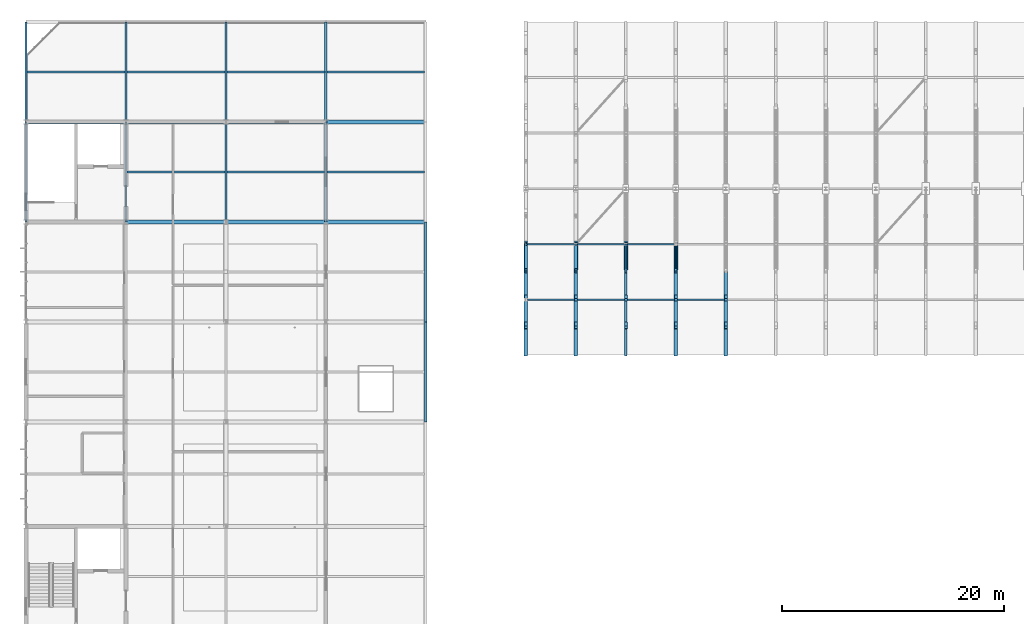
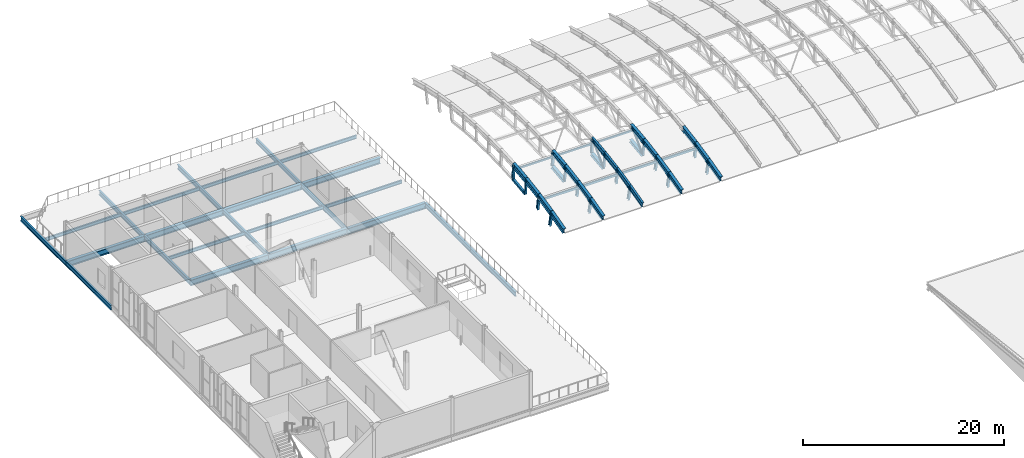
# One storey, part 7 of 53: 43 beams, 30 members.
"""IFC4 building model written with IfcOpenShell, lengths in metres."""

from ifc_helpers import new_model, si_unit, direction, frame, origin, origin_2d, place, context, subcontext, project, spatial, hollow_rectangle, hollow_circle, i_section, extrude, material, material_profile, profile_set, type_object, element, save


model = new_model("IFC4")

# Units and contexts
model_context = context("Model", 3, precision=1e-05, world=origin(), true_north=direction((0.0, 1.0)))
body_context = subcontext(model_context, "Body", "Model", "MODEL_VIEW")
ifc_project = project(units=[si_unit("LENGTHUNIT", "METRE"), si_unit("AREAUNIT", "SQUARE_METRE"), si_unit("VOLUMEUNIT", "CUBIC_METRE"), si_unit("PLANEANGLEUNIT", "RADIAN"), si_unit("MASSUNIT", "GRAM", prefix="KILO")], contexts=[model_context])

# Site, building, storey
site_placement = place(None, origin())
site = spatial("IfcSite", under=ifc_project, at=site_placement, CompositionType="ELEMENT")
building_placement = place(site_placement, origin())
building = spatial("IfcBuilding", under=site, at=building_placement, Name="Cazmaro Siding Exhibition Halls", CompositionType="ELEMENT")
storey_placement = place(building_placement, frame((0.0, 0.0, 21.0)))
storey = spatial("IfcBuildingStorey", under=building, at=storey_placement, Name="L04", CompositionType="ELEMENT", Elevation=21.0)

# Beams
ifc_material_1 = material(Name="Steel ASTM A992 Grade 50", Category="steel")
ifc_material_profile_1 = material_profile(ifc_material_1, i_section(OverallWidth=0.327880859375, OverallDepth=0.626953125, WebThickness=0.01708984375, FlangeThickness=0.028076171875, at=origin_2d()), Name="W24X146")
ifc_profile_set_1 = profile_set([ifc_material_profile_1], Name="Steel ASTM A992 Grade 50")
beam_type_1 = type_object("IfcBeamType", Name="AR-01", PredefinedType="USERDEFINED", material=ifc_profile_set_1)
beam_1_placement = place(storey_placement, frame((45.0, 79.0, 0.35498046875), z_axis=(0.0, 0.966391398669, 0.257075211911), x_axis=(-1.0, 0.0, 0.0)))
element("IfcBeam", 1, at=beam_1_placement, inside=storey, type_object=beam_type_1, Name="Space frame barrel vault arched rib AR-01 BM-0541", ObjectType="ARCHED RIB", PredefinedType="USERDEFINED", context=body_context, shape_type="SweptSolid", body=[
    extrude(i_section(OverallWidth=0.327880859375, OverallDepth=0.626953125, WebThickness=0.01708984375, FlangeThickness=0.028076171875, at=origin_2d()), origin(), (0.0, 0.0, 1.0), 2.5869140625),
])
beam_2_placement = place(storey_placement, frame((45.0, 81.5, 1.02001953125), z_axis=(0.0, 0.977710100146, 0.209959424826), x_axis=(-1.0, 0.0, 0.0)))
element("IfcBeam", 2, at=beam_2_placement, inside=storey, type_object=beam_type_1, Name="Space frame barrel vault arched rib AR-01 BM-0542", ObjectType="ARCHED RIB", PredefinedType="USERDEFINED", context=body_context, shape_type="SweptSolid", body=[
    extrude(i_section(OverallWidth=0.327880859375, OverallDepth=0.626953125, WebThickness=0.01708984375, FlangeThickness=0.028076171875, at=origin_2d()), origin(), (0.0, 0.0, 1.0), 2.556884765625),
])
beam_3_placement = place(storey_placement, frame((45.0, 84.0, 1.556884765625), z_axis=(0.0, 0.98649787474, 0.163774061236), x_axis=(-1.0, 0.0, 0.0)))
element("IfcBeam", 3, at=beam_3_placement, inside=storey, type_object=beam_type_1, Name="Space frame barrel vault arched rib AR-01 BM-0543", ObjectType="ARCHED RIB", PredefinedType="USERDEFINED", context=body_context, shape_type="SweptSolid", body=[
    extrude(i_section(OverallWidth=0.327880859375, OverallDepth=0.626953125, WebThickness=0.01708984375, FlangeThickness=0.028076171875, at=origin_2d()), origin(), (0.0, 0.0, 1.0), 2.5341796875),
])
beam_4_placement = place(storey_placement, frame((45.0, 86.5, 1.971923828125), z_axis=(0.0, 0.993147293786, 0.116869383693), x_axis=(-1.0, 0.0, 0.0)))
element("IfcBeam", 4, at=beam_4_placement, inside=storey, type_object=beam_type_1, Name="Space frame barrel vault arched rib AR-01 BM-0544", ObjectType="ARCHED RIB", PredefinedType="USERDEFINED", context=body_context, shape_type="SweptSolid", body=[
    extrude(i_section(OverallWidth=0.327880859375, OverallDepth=0.626953125, WebThickness=0.01708984375, FlangeThickness=0.028076171875, at=origin_2d()), origin(), (0.0, 0.0, 1.0), 2.517333984375),
])
beam_5_placement = place(storey_placement, frame((58.5, 79.0, 0.35498046875), z_axis=(0.0, 0.966391398669, 0.257075211911), x_axis=(-1.0, 0.0, 0.0)))
element("IfcBeam", 5, at=beam_5_placement, inside=storey, type_object=beam_type_1, Name="Space frame barrel vault arched rib AR-01 BM-0613", ObjectType="ARCHED RIB", PredefinedType="USERDEFINED", context=body_context, shape_type="SweptSolid", body=[
    extrude(i_section(OverallWidth=0.327880859375, OverallDepth=0.626953125, WebThickness=0.01708984375, FlangeThickness=0.028076171875, at=origin_2d()), origin(), (0.0, 0.0, 1.0), 2.5869140625),
])
beam_6_placement = place(storey_placement, frame((58.5, 81.5, 1.02001953125), z_axis=(0.0, 0.977710100146, 0.209959424826), x_axis=(-1.0, 0.0, 0.0)))
element("IfcBeam", 6, at=beam_6_placement, inside=storey, type_object=beam_type_1, Name="Space frame barrel vault arched rib AR-01 BM-0614", ObjectType="ARCHED RIB", PredefinedType="USERDEFINED", context=body_context, shape_type="SweptSolid", body=[
    extrude(i_section(OverallWidth=0.327880859375, OverallDepth=0.626953125, WebThickness=0.01708984375, FlangeThickness=0.028076171875, at=origin_2d()), origin(), (0.0, 0.0, 1.0), 2.556884765625),
])
beam_7_placement = place(storey_placement, frame((58.5, 84.0, 1.556884765625), z_axis=(0.0, 0.98649787474, 0.163774061236), x_axis=(-1.0, 0.0, 0.0)))
element("IfcBeam", 7, at=beam_7_placement, inside=storey, type_object=beam_type_1, Name="Space frame barrel vault arched rib AR-01 BM-0615", ObjectType="ARCHED RIB", PredefinedType="USERDEFINED", context=body_context, shape_type="SweptSolid", body=[
    extrude(i_section(OverallWidth=0.327880859375, OverallDepth=0.626953125, WebThickness=0.01708984375, FlangeThickness=0.028076171875, at=origin_2d()), origin(), (0.0, 0.0, 1.0), 2.5341796875),
])
beam_8_placement = place(storey_placement, frame((58.5, 86.5, 1.971923828125), z_axis=(0.0, 0.993147293786, 0.116869383693), x_axis=(-1.0, 0.0, 0.0)))
element("IfcBeam", 8, at=beam_8_placement, inside=storey, type_object=beam_type_1, Name="Space frame barrel vault arched rib AR-01 BM-0616", ObjectType="ARCHED RIB", PredefinedType="USERDEFINED", context=body_context, shape_type="SweptSolid", body=[
    extrude(i_section(OverallWidth=0.327880859375, OverallDepth=0.626953125, WebThickness=0.01708984375, FlangeThickness=0.028076171875, at=origin_2d()), origin(), (0.0, 0.0, 1.0), 2.517333984375),
])
ifc_material_2 = material(Name="Steel ASTM A992 Grade 50", Category="steel")
ifc_material_profile_2 = material_profile(ifc_material_2, i_section(OverallWidth=0.324951171875, OverallDepth=0.612060546875, WebThickness=0.012939453125, FlangeThickness=0.01904296875, at=origin_2d()), Name="W24X104")
ifc_profile_set_2 = profile_set([ifc_material_profile_2], Name="Steel ASTM A992 Grade 50")
beam_type_2 = type_object("IfcBeamType", Name="AR-02", PredefinedType="USERDEFINED", material=ifc_profile_set_2)
beam_9_placement = place(storey_placement, frame((49.5, 79.0, 0.35498046875), z_axis=(0.0, 0.966391398669, 0.257075211911), x_axis=(-1.0, 0.0, 0.0)))
element("IfcBeam", 9, at=beam_9_placement, inside=storey, type_object=beam_type_2, Name="Space frame barrel vault arched rib AR-02 BM-0565", ObjectType="ARCHED RIB", PredefinedType="USERDEFINED", context=body_context, shape_type="SweptSolid", body=[
    extrude(i_section(OverallWidth=0.324951171875, OverallDepth=0.612060546875, WebThickness=0.012939453125, FlangeThickness=0.01904296875, at=origin_2d()), origin(), (0.0, 0.0, 1.0), 2.5869140625),
])
beam_10_placement = place(storey_placement, frame((49.5, 81.5, 1.02001953125), z_axis=(0.0, 0.977710100146, 0.209959424826), x_axis=(-1.0, 0.0, 0.0)))
element("IfcBeam", 10, at=beam_10_placement, inside=storey, type_object=beam_type_2, Name="Space frame barrel vault arched rib AR-02 BM-0566", ObjectType="ARCHED RIB", PredefinedType="USERDEFINED", context=body_context, shape_type="SweptSolid", body=[
    extrude(i_section(OverallWidth=0.324951171875, OverallDepth=0.612060546875, WebThickness=0.012939453125, FlangeThickness=0.01904296875, at=origin_2d()), origin(), (0.0, 0.0, 1.0), 2.556884765625),
])
beam_11_placement = place(storey_placement, frame((49.5, 84.0, 1.556884765625), z_axis=(0.0, 0.98649787474, 0.163774061236), x_axis=(-1.0, 0.0, 0.0)))
element("IfcBeam", 11, at=beam_11_placement, inside=storey, type_object=beam_type_2, Name="Space frame barrel vault arched rib AR-02 BM-0567", ObjectType="ARCHED RIB", PredefinedType="USERDEFINED", context=body_context, shape_type="SweptSolid", body=[
    extrude(i_section(OverallWidth=0.324951171875, OverallDepth=0.612060546875, WebThickness=0.012939453125, FlangeThickness=0.01904296875, at=origin_2d()), origin(), (0.0, 0.0, 1.0), 2.5341796875),
])
beam_12_placement = place(storey_placement, frame((49.5, 86.5, 1.971923828125), z_axis=(0.0, 0.993147293786, 0.116869383693), x_axis=(-1.0, 0.0, 0.0)))
element("IfcBeam", 12, at=beam_12_placement, inside=storey, type_object=beam_type_2, Name="Space frame barrel vault arched rib AR-02 BM-0568", ObjectType="ARCHED RIB", PredefinedType="USERDEFINED", context=body_context, shape_type="SweptSolid", body=[
    extrude(i_section(OverallWidth=0.324951171875, OverallDepth=0.612060546875, WebThickness=0.012939453125, FlangeThickness=0.01904296875, at=origin_2d()), origin(), (0.0, 0.0, 1.0), 2.517333984375),
])
beam_13_placement = place(storey_placement, frame((63.0, 79.0, 0.35498046875), z_axis=(0.0, 0.966391398669, 0.257075211911), x_axis=(-1.0, 0.0, 0.0)))
element("IfcBeam", 13, at=beam_13_placement, inside=storey, type_object=beam_type_2, Name="Space frame barrel vault arched rib AR-02 BM-0637", ObjectType="ARCHED RIB", PredefinedType="USERDEFINED", context=body_context, shape_type="SweptSolid", body=[
    extrude(i_section(OverallWidth=0.324951171875, OverallDepth=0.612060546875, WebThickness=0.012939453125, FlangeThickness=0.01904296875, at=origin_2d()), origin(), (0.0, 0.0, 1.0), 2.5869140625),
])
beam_14_placement = place(storey_placement, frame((63.0, 81.5, 1.02001953125), z_axis=(0.0, 0.977710100146, 0.209959424826), x_axis=(-1.0, 0.0, 0.0)))
element("IfcBeam", 14, at=beam_14_placement, inside=storey, type_object=beam_type_2, Name="Space frame barrel vault arched rib AR-02 BM-0638", ObjectType="ARCHED RIB", PredefinedType="USERDEFINED", context=body_context, shape_type="SweptSolid", body=[
    extrude(i_section(OverallWidth=0.324951171875, OverallDepth=0.612060546875, WebThickness=0.012939453125, FlangeThickness=0.01904296875, at=origin_2d()), origin(), (0.0, 0.0, 1.0), 2.556884765625),
])
beam_15_placement = place(storey_placement, frame((63.0, 84.0, 1.556884765625), z_axis=(0.0, 0.98649787474, 0.163774061236), x_axis=(-1.0, 0.0, 0.0)))
element("IfcBeam", 15, at=beam_15_placement, inside=storey, type_object=beam_type_2, Name="Space frame barrel vault arched rib AR-02 BM-0639", ObjectType="ARCHED RIB", PredefinedType="USERDEFINED", context=body_context, shape_type="SweptSolid", body=[
    extrude(i_section(OverallWidth=0.324951171875, OverallDepth=0.612060546875, WebThickness=0.012939453125, FlangeThickness=0.01904296875, at=origin_2d()), origin(), (0.0, 0.0, 1.0), 2.5341796875),
])
ifc_material_3 = material(Name="Steel ASTM A992 Grade 50", Category="steel")
ifc_material_profile_3 = material_profile(ifc_material_3, i_section(OverallWidth=0.22900390625, OverallDepth=0.612060546875, WebThickness=0.011962890625, FlangeThickness=0.02001953125, at=origin_2d()), Name="W24X84")
ifc_profile_set_3 = profile_set([ifc_material_profile_3], Name="Steel ASTM A992 Grade 50")
beam_type_3 = type_object("IfcBeamType", Name="AR-03", PredefinedType="USERDEFINED", material=ifc_profile_set_3)
beam_16_placement = place(storey_placement, frame((54.0, 79.0, 0.35498046875), z_axis=(0.0, 0.966391398669, 0.257075211911), x_axis=(-1.0, 0.0, 0.0)))
element("IfcBeam", 16, at=beam_16_placement, inside=storey, type_object=beam_type_3, Name="Space frame barrel vault arched rib AR-03 BM-0589", ObjectType="ARCHED RIB", PredefinedType="USERDEFINED", context=body_context, shape_type="SweptSolid", body=[
    extrude(i_section(OverallWidth=0.22900390625, OverallDepth=0.612060546875, WebThickness=0.011962890625, FlangeThickness=0.02001953125, at=origin_2d()), origin(), (0.0, 0.0, 1.0), 2.5869140625),
])
beam_17_placement = place(storey_placement, frame((54.0, 81.5, 1.02001953125), z_axis=(0.0, 0.977710100146, 0.209959424826), x_axis=(-1.0, 0.0, 0.0)))
element("IfcBeam", 17, at=beam_17_placement, inside=storey, type_object=beam_type_3, Name="Space frame barrel vault arched rib AR-03 BM-0590", ObjectType="ARCHED RIB", PredefinedType="USERDEFINED", context=body_context, shape_type="SweptSolid", body=[
    extrude(i_section(OverallWidth=0.22900390625, OverallDepth=0.612060546875, WebThickness=0.011962890625, FlangeThickness=0.02001953125, at=origin_2d()), origin(), (0.0, 0.0, 1.0), 2.556884765625),
])
beam_18_placement = place(storey_placement, frame((54.0, 84.0, 1.556884765625), z_axis=(0.0, 0.98649787474, 0.163774061236), x_axis=(-1.0, 0.0, 0.0)))
element("IfcBeam", 18, at=beam_18_placement, inside=storey, type_object=beam_type_3, Name="Space frame barrel vault arched rib AR-03 BM-0591", ObjectType="ARCHED RIB", PredefinedType="USERDEFINED", context=body_context, shape_type="SweptSolid", body=[
    extrude(i_section(OverallWidth=0.22900390625, OverallDepth=0.612060546875, WebThickness=0.011962890625, FlangeThickness=0.02001953125, at=origin_2d()), origin(), (0.0, 0.0, 1.0), 2.5341796875),
])
beam_19_placement = place(storey_placement, frame((54.0, 86.5, 1.971923828125), z_axis=(0.0, 0.993147293786, 0.116869383693), x_axis=(-1.0, 0.0, 0.0)))
element("IfcBeam", 19, at=beam_19_placement, inside=storey, type_object=beam_type_3, Name="Space frame barrel vault arched rib AR-03 BM-0592", ObjectType="ARCHED RIB", PredefinedType="USERDEFINED", context=body_context, shape_type="SweptSolid", body=[
    extrude(i_section(OverallWidth=0.22900390625, OverallDepth=0.612060546875, WebThickness=0.011962890625, FlangeThickness=0.02001953125, at=origin_2d()), origin(), (0.0, 0.0, 1.0), 2.517333984375),
])
ifc_material_4 = material(Name="Steel ASTM A992 Grade 50", Category="steel")
ifc_material_profile_4 = material_profile(ifc_material_4, i_section(OverallWidth=0.214111328125, OverallDepth=0.549072265625, WebThickness=0.014892578125, FlangeThickness=0.02392578125, at=origin_2d()), Name="W21X93")
ifc_profile_set_4 = profile_set([ifc_material_profile_4], Name="Steel ASTM A992 Grade 50")
beam_type_4 = type_object("IfcBeamType", Name="B-01", PredefinedType="BEAM", material=ifc_profile_set_4)
for number, where, z_axis, x_axis, name in (
    (20, (0.0, 91.0, -0.493896484375), (0.0, 1.0, 0.0), (-1.0, 0.0, 0.0), "Beam B-01 BM-2332"),
    (21, (0.0, 100.0, -0.5439453125), (0.0, 1.0, 0.0), (-1.0, 0.0, 0.0), "Beam B-01 BM-2333"),
    (22, (9.0, 91.0, -0.493896484375), (0.0, 1.0, 0.0), (-1.0, 0.0, 0.0), "Beam B-01 BM-2338"),
    (23, (9.0, 100.0, -0.5439453125), (0.0, 1.0, 0.0), (-1.0, 0.0, 0.0), "Beam B-01 BM-2339"),
    (24, (18.0, 91.0, -0.493896484375), (0.0, 1.0, 0.0), (-1.0, 0.0, 0.0), "Beam B-01 BM-2344"),
    (25, (18.0, 100.0, -0.5439453125), (0.0, 1.0, 0.0), (-1.0, 0.0, 0.0), "Beam B-01 BM-2345"),
    (26, (27.0, 91.0, -0.5439453125), (0.0, 1.0, 0.0), (-1.0, 0.0, 0.0), "Beam B-01 BM-2350"),
    (27, (27.0, 100.0, -0.5439453125), (0.0, 1.0, 0.0), (-1.0, 0.0, 0.0), "Beam B-01 BM-2351"),
    (28, (36.0, 73.0, -0.5439453125), (0.0, 1.0, 0.0), (-1.0, 0.0, 0.0), "Beam B-01 BM-2354"),
    (29, (36.0, 82.0, -0.5439453125), (0.0, 1.0, 0.0), (-1.0, 0.0, 0.0), "Beam B-01 BM-2355"),
):
    element("IfcBeam", number, at=place(storey_placement, frame(where, z_axis=z_axis, x_axis=x_axis)), inside=storey, type_object=beam_type_4, Name=name, PredefinedType="BEAM", context=body_context, shape_type="SweptSolid", body=[
        extrude(i_section(OverallWidth=0.214111328125, OverallDepth=0.549072265625, WebThickness=0.014892578125, FlangeThickness=0.02392578125, at=origin_2d()), origin(), (0.0, 0.0, 1.0), 9.0),
    ])
ifc_material_5 = material(Name="Steel ASTM A992 Grade 50", Category="steel")
ifc_material_profile_5 = material_profile(ifc_material_5, i_section(OverallWidth=0.35595703125, OverallDepth=0.696044921875, WebThickness=0.014892578125, FlangeThickness=0.02490234375, at=origin_2d()), Name="W27X146")
ifc_profile_set_5 = profile_set([ifc_material_profile_5], Name="Steel ASTM A992 Grade 50")
beam_type_5 = type_object("IfcBeamType", Name="G-05", PredefinedType="USERDEFINED", material=ifc_profile_set_5)
for number, where, z_axis, x_axis, name in (
    (30, (0.0, 100.0, -0.617919921875), (1.0, 0.0, 0.0), (0.0, 1.0, 0.0), "Beam G-05 BM-2283"),
    (31, (9.0, 91.0, -0.568115234375), (1.0, 0.0, 0.0), (0.0, 1.0, 0.0), "Beam G-05 BM-2293"),
    (32, (9.0, 100.0, -0.617919921875), (1.0, 0.0, 0.0), (0.0, 1.0, 0.0), "Beam G-05 BM-2294"),
    (33, (18.0, 91.0, -0.568115234375), (1.0, 0.0, 0.0), (0.0, 1.0, 0.0), "Beam G-05 BM-2306"),
    (34, (18.0, 100.0, -0.617919921875), (1.0, 0.0, 0.0), (0.0, 1.0, 0.0), "Beam G-05 BM-2307"),
    (35, (27.0, 91.0, -0.617919921875), (1.0, 0.0, 0.0), (0.0, 1.0, 0.0), "Beam G-05 BM-2319"),
    (36, (27.0, 100.0, -0.617919921875), (1.0, 0.0, 0.0), (0.0, 1.0, 0.0), "Beam G-05 BM-2320"),
):
    element("IfcBeam", number, at=place(storey_placement, frame(where, z_axis=z_axis, x_axis=x_axis)), inside=storey, type_object=beam_type_5, Name=name, ObjectType="GIRDER", PredefinedType="USERDEFINED", context=body_context, shape_type="SweptSolid", body=[
        extrude(i_section(OverallWidth=0.35595703125, OverallDepth=0.696044921875, WebThickness=0.014892578125, FlangeThickness=0.02490234375, at=origin_2d()), origin(), (0.0, 0.0, 1.0), 9.0),
    ])
ifc_material_6 = material(Name="Steel ASTM A992 Grade 50", Category="steel")
ifc_material_profile_6 = material_profile(ifc_material_6, i_section(OverallWidth=0.177978515625, OverallDepth=0.406005859375, WebThickness=0.008056640625, FlangeThickness=0.012939453125, at=origin_2d()), Name="W16X40")
ifc_profile_set_6 = profile_set([ifc_material_profile_6], Name="Steel ASTM A992 Grade 50")
beam_type_6 = type_object("IfcBeamType", Name="J-02", PredefinedType="JOIST", material=ifc_profile_set_6)
for number, where, z_axis, x_axis, name in (
    (37, (0.10693359375, 104.5, -0.472900390625), (1.0, 0.0, 0.0), (0.0, 1.0, 0.0), "Beam J-02 BM-2288"),
    (38, (9.10693359375, 95.5, -0.423095703125), (1.0, 0.0, 0.0), (0.0, 1.0, 0.0), "Beam J-02 BM-2300"),
    (39, (9.10693359375, 104.5, -0.472900390625), (1.0, 0.0, 0.0), (0.0, 1.0, 0.0), "Beam J-02 BM-2301"),
    (40, (18.10693359375, 95.5, -0.423095703125), (1.0, 0.0, 0.0), (0.0, 1.0, 0.0), "Beam J-02 BM-2313"),
    (41, (18.10693359375, 104.5, -0.472900390625), (1.0, 0.0, 0.0), (0.0, 1.0, 0.0), "Beam J-02 BM-2314"),
    (42, (27.10693359375, 95.5, -0.472900390625), (1.0, 0.0, 0.0), (0.0, 1.0, 0.0), "Beam J-02 BM-2326"),
    (43, (27.10693359375, 104.5, -0.472900390625), (1.0, 0.0, 0.0), (0.0, 1.0, 0.0), "Beam J-02 BM-2327"),
):
    element("IfcBeam", number, at=place(storey_placement, frame(where, z_axis=z_axis, x_axis=x_axis)), inside=storey, type_object=beam_type_6, Name=name, PredefinedType="JOIST", context=body_context, shape_type="SweptSolid", body=[
        extrude(i_section(OverallWidth=0.177978515625, OverallDepth=0.406005859375, WebThickness=0.008056640625, FlangeThickness=0.012939453125, at=origin_2d()), origin(), (0.0, 0.0, 1.0), 8.7861328125),
    ])

# Members
ifc_material_7 = material(Name="Steel ASTM A500 Grade C", Category="steel")
ifc_material_profile_7 = material_profile(ifc_material_7, hollow_rectangle(XDim=0.152099609375, YDim=0.202880859375, WallThickness=0.011962890625, at=origin_2d()), Name="HSS8X6X1/2")
ifc_profile_set_7 = profile_set([ifc_material_profile_7], Name="Steel ASTM A500 Grade C")
member_type_1 = type_object("IfcMemberType", Name="RP-01", PredefinedType="PURLIN", material=ifc_profile_set_7)
for number, where, z_axis, x_axis, name in (
    (44, (45.0, 89.0, 1.72607421875), (1.0, 0.0, 0.0), (0.0, 1.0, 0.0), "Space frame barrel vault purlin RP-01 MEM-1968"),
    (45, (49.5, 89.0, 1.72607421875), (1.0, 0.0, 0.0), (0.0, 1.0, 0.0), "Space frame barrel vault purlin RP-01 MEM-1979"),
    (46, (54.0, 89.0, 1.72607421875), (1.0, 0.0, 0.0), (0.0, 1.0, 0.0), "Space frame barrel vault purlin RP-01 MEM-1996"),
):
    element("IfcMember", number, at=place(storey_placement, frame(where, z_axis=z_axis, x_axis=x_axis)), inside=storey, type_object=member_type_1, Name=name, PredefinedType="PURLIN", context=body_context, shape_type="SweptSolid", body=[
        extrude(hollow_rectangle(XDim=0.152099609375, YDim=0.202880859375, WallThickness=0.011962890625, at=origin_2d()), origin(), (0.0, 0.0, 1.0), 4.5),
    ])
ifc_material_8 = material(Name="Steel ASTM A500 Grade C", Category="steel")
ifc_material_profile_8 = material_profile(ifc_material_8, hollow_rectangle(XDim=0.152099609375, YDim=0.25390625, WallThickness=0.011962890625, at=origin_2d()), Name="HSS10X6X1/2")
ifc_profile_set_8 = profile_set([ifc_material_profile_8], Name="Steel ASTM A500 Grade C")
member_type_2 = type_object("IfcMemberType", Name="RP-04", PredefinedType="PURLIN", material=ifc_profile_set_8)
for number, where, z_axis, x_axis, name in (
    (47, (45.0, 84.0, 1.01708984375), (1.0, 0.0, 0.0), (0.0, 1.0, 0.0), "Space frame barrel vault purlin RP-04 MEM-1967"),
    (48, (49.5, 84.0, 1.01708984375), (1.0, 0.0, 0.0), (0.0, 1.0, 0.0), "Space frame barrel vault purlin RP-04 MEM-1978"),
    (49, (54.0, 84.0, 1.01708984375), (1.0, 0.0, 0.0), (0.0, 1.0, 0.0), "Space frame barrel vault purlin RP-04 MEM-1995"),
    (50, (58.5, 84.0, 1.01708984375), (1.0, 0.0, 0.0), (0.0, 1.0, 0.0), "Space frame barrel vault purlin RP-04 MEM-2006"),
):
    element("IfcMember", number, at=place(storey_placement, frame(where, z_axis=z_axis, x_axis=x_axis)), inside=storey, type_object=member_type_2, Name=name, PredefinedType="PURLIN", context=body_context, shape_type="SweptSolid", body=[
        extrude(hollow_rectangle(XDim=0.152099609375, YDim=0.25390625, WallThickness=0.011962890625, at=origin_2d()), origin(), (0.0, 0.0, 1.0), 4.5),
    ])
ifc_material_9 = material(Name="Steel ASTM A500 Grade C", Category="steel")
ifc_material_profile_9 = material_profile(ifc_material_9, hollow_rectangle(XDim=0.25390625, YDim=0.25390625, WallThickness=0.014892578125, at=origin_2d()), Name="HSS10X10X5/8")
ifc_profile_set_9 = profile_set([ifc_material_profile_9], Name="Steel ASTM A500 Grade C")
member_type_3 = type_object("IfcMemberType", Name="TC-01", PredefinedType="CHORD", material=ifc_profile_set_9)
member_1_placement = place(storey_placement, frame((45.0, 86.7099609375, 0.18701171875), z_axis=(0.0, 0.993149923187, 0.116847037079), x_axis=(-1.0, 0.0, 0.0)))
element("IfcMember", 51, at=member_1_placement, inside=storey, type_object=member_type_3, Name="Space frame barrel vault bottom chord TC-01 MEM-0010", PredefinedType="CHORD", context=body_context, shape_type="SweptSolid", body=[
    extrude(hollow_rectangle(XDim=0.25390625, YDim=0.25390625, WallThickness=0.014892578125, at=origin_2d()), origin(), (0.0, 0.0, 1.0), 2.44677734375),
])
ifc_material_10 = material(Name="Steel ASTM A992 Grade 50", Category="steel")
ifc_material_profile_10 = material_profile(ifc_material_10, i_section(OverallWidth=0.37109375, OverallDepth=0.364013671875, WebThickness=0.012939453125, FlangeThickness=0.02197265625, at=origin_2d()), Name="W14X109")
ifc_profile_set_10 = profile_set([ifc_material_profile_10], Name="Steel ASTM A992 Grade 50")
member_type_4 = type_object("IfcMemberType", Name="TC-06", PredefinedType="CHORD", material=ifc_profile_set_10)
for number, where, z_axis, x_axis, name in (
    (52, (49.5, 86.7099609375, 0.18701171875), (0.0, 0.993149923187, 0.116847037079), (-1.0, 0.0, 0.0), "Space frame barrel vault bottom chord TC-06 MEM-0057"),
    (53, (54.0, 86.7099609375, 0.18701171875), (0.0, 0.993149923187, 0.116847037079), (-1.0, 0.0, 0.0), "Space frame barrel vault bottom chord TC-06 MEM-0113"),
    (54, (58.5, 86.7099609375, 0.18701171875), (0.0, 0.993149923187, 0.116847037079), (-1.0, 0.0, 0.0), "Space frame barrel vault bottom chord TC-06 MEM-0184"),
):
    element("IfcMember", number, at=place(storey_placement, frame(where, z_axis=z_axis, x_axis=x_axis)), inside=storey, type_object=member_type_4, Name=name, PredefinedType="CHORD", context=body_context, shape_type="SweptSolid", body=[
        extrude(i_section(OverallWidth=0.37109375, OverallDepth=0.364013671875, WebThickness=0.012939453125, FlangeThickness=0.02197265625, at=origin_2d()), origin(), (0.0, 0.0, 1.0), 2.44677734375),
    ])
ifc_material_11 = material(Name="Steel ASTM A500 Grade C", Category="steel")
ifc_material_profile_11 = material_profile(ifc_material_11, hollow_rectangle(XDim=0.202880859375, YDim=0.202880859375, WallThickness=0.011962890625, at=origin_2d()), Name="HSS8X8X1/2")
ifc_profile_set_11 = profile_set([ifc_material_profile_11], Name="Steel ASTM A500 Grade C")
member_type_5 = type_object("IfcMemberType", Name="TP-01", PredefinedType="POST", material=ifc_profile_set_11)
for number, where, z_axis, x_axis, name in (
    (55, (45.0, 86.7099609375, 0.18701171875), (0.0, -0.116825484133, 0.993152458718), (1.0, 0.0, 0.0), "Space frame barrel vault post TP-01 MEM-0033"),
    (56, (49.5, 86.7099609375, 0.18701171875), (0.0, -0.116825484133, 0.993152458718), (1.0, 0.0, 0.0), "Space frame barrel vault post TP-01 MEM-0080"),
    (57, (54.0, 86.7099609375, 0.18701171875), (0.0, -0.116825484133, 0.993152458718), (1.0, 0.0, 0.0), "Space frame barrel vault post TP-01 MEM-0151"),
    (58, (58.5, 86.7099609375, 0.18701171875), (0.0, -0.116825484133, 0.993152458718), (1.0, 0.0, 0.0), "Space frame barrel vault post TP-01 MEM-0222"),
):
    element("IfcMember", number, at=place(storey_placement, frame(where, z_axis=z_axis, x_axis=x_axis)), inside=storey, type_object=member_type_5, Name=name, PredefinedType="POST", context=body_context, shape_type="SweptSolid", body=[
        extrude(hollow_rectangle(XDim=0.202880859375, YDim=0.202880859375, WallThickness=0.011962890625, at=origin_2d()), origin(), (0.0, 0.0, 1.0), 1.797119140625),
    ])
ifc_material_12 = material(Name="Steel ASTM A992 Grade 50", Category="steel")
ifc_material_profile_12 = material_profile(ifc_material_12, i_section(OverallWidth=0.25390625, OverallDepth=0.25390625, WebThickness=0.009033203125, FlangeThickness=0.013916015625, at=origin_2d()), Name="W10X49")
ifc_profile_set_12 = profile_set([ifc_material_profile_12], Name="Steel ASTM A992 Grade 50")
member_type_6 = type_object("IfcMemberType", Name="TP-04", PredefinedType="POST", material=ifc_profile_set_12)
member_2_placement = place(storey_placement, frame((45.0, 81.85009765625, -0.739013671875), z_axis=(0.0, -0.195199839578, 0.980763489649), x_axis=(1.0, 0.0, 0.0)))
element("IfcMember", 59, at=member_2_placement, inside=storey, type_object=member_type_6, Name="Space frame barrel vault post TP-04 MEM-0031", PredefinedType="POST", context=body_context, shape_type="SweptSolid", body=[
    extrude(i_section(OverallWidth=0.25390625, OverallDepth=0.25390625, WebThickness=0.009033203125, FlangeThickness=0.013916015625, at=origin_2d()), origin(), (0.0, 0.0, 1.0), 1.79345703125),
])
member_3_placement = place(storey_placement, frame((45.0, 84.280029296875, -0.217041015625), z_axis=(0.0, -0.155927668857, 0.987768475952), x_axis=(1.0, 0.0, 0.0)))
element("IfcMember", 60, at=member_3_placement, inside=storey, type_object=member_type_6, Name="Space frame barrel vault post TP-04 MEM-0032", PredefinedType="POST", context=body_context, shape_type="SweptSolid", body=[
    extrude(i_section(OverallWidth=0.25390625, OverallDepth=0.25390625, WebThickness=0.009033203125, FlangeThickness=0.013916015625, at=origin_2d()), origin(), (0.0, 0.0, 1.0), 1.7958984375),
])
member_4_placement = place(storey_placement, frame((45.0, 89.139892578125, 0.472900390625), z_axis=(0.0, -0.077775943468, 0.996970863475), x_axis=(1.0, 0.0, 0.0)))
element("IfcMember", 61, at=member_4_placement, inside=storey, type_object=member_type_6, Name="Space frame barrel vault post TP-04 MEM-0034", PredefinedType="POST", context=body_context, shape_type="SweptSolid", body=[
    extrude(i_section(OverallWidth=0.25390625, OverallDepth=0.25390625, WebThickness=0.009033203125, FlangeThickness=0.013916015625, at=origin_2d()), origin(), (0.0, 0.0, 1.0), 1.798583984375),
])
member_5_placement = place(storey_placement, frame((49.5, 81.85009765625, -0.739013671875), z_axis=(0.0, -0.195199839578, 0.980763489649), x_axis=(1.0, 0.0, 0.0)))
element("IfcMember", 62, at=member_5_placement, inside=storey, type_object=member_type_6, Name="Space frame barrel vault post TP-04 MEM-0078", PredefinedType="POST", context=body_context, shape_type="SweptSolid", body=[
    extrude(i_section(OverallWidth=0.25390625, OverallDepth=0.25390625, WebThickness=0.009033203125, FlangeThickness=0.013916015625, at=origin_2d()), origin(), (0.0, 0.0, 1.0), 1.79345703125),
])
member_6_placement = place(storey_placement, frame((49.5, 84.280029296875, -0.217041015625), z_axis=(0.0, -0.155927668857, 0.987768475952), x_axis=(1.0, 0.0, 0.0)))
element("IfcMember", 63, at=member_6_placement, inside=storey, type_object=member_type_6, Name="Space frame barrel vault post TP-04 MEM-0079", PredefinedType="POST", context=body_context, shape_type="SweptSolid", body=[
    extrude(i_section(OverallWidth=0.25390625, OverallDepth=0.25390625, WebThickness=0.009033203125, FlangeThickness=0.013916015625, at=origin_2d()), origin(), (0.0, 0.0, 1.0), 1.7958984375),
])
member_7_placement = place(storey_placement, frame((49.5, 89.139892578125, 0.472900390625), z_axis=(0.0, -0.077775943468, 0.996970863475), x_axis=(1.0, 0.0, 0.0)))
element("IfcMember", 64, at=member_7_placement, inside=storey, type_object=member_type_6, Name="Space frame barrel vault post TP-04 MEM-0081", PredefinedType="POST", context=body_context, shape_type="SweptSolid", body=[
    extrude(i_section(OverallWidth=0.25390625, OverallDepth=0.25390625, WebThickness=0.009033203125, FlangeThickness=0.013916015625, at=origin_2d()), origin(), (0.0, 0.0, 1.0), 1.798583984375),
])
member_8_placement = place(storey_placement, frame((54.0, 81.85009765625, -0.739013671875), z_axis=(0.0, -0.195199839578, 0.980763489649), x_axis=(1.0, 0.0, 0.0)))
element("IfcMember", 65, at=member_8_placement, inside=storey, type_object=member_type_6, Name="Space frame barrel vault post TP-04 MEM-0149", PredefinedType="POST", context=body_context, shape_type="SweptSolid", body=[
    extrude(i_section(OverallWidth=0.25390625, OverallDepth=0.25390625, WebThickness=0.009033203125, FlangeThickness=0.013916015625, at=origin_2d()), origin(), (0.0, 0.0, 1.0), 1.79345703125),
])
member_9_placement = place(storey_placement, frame((54.0, 84.280029296875, -0.217041015625), z_axis=(0.0, -0.155927668857, 0.987768475952), x_axis=(1.0, 0.0, 0.0)))
element("IfcMember", 66, at=member_9_placement, inside=storey, type_object=member_type_6, Name="Space frame barrel vault post TP-04 MEM-0150", PredefinedType="POST", context=body_context, shape_type="SweptSolid", body=[
    extrude(i_section(OverallWidth=0.25390625, OverallDepth=0.25390625, WebThickness=0.009033203125, FlangeThickness=0.013916015625, at=origin_2d()), origin(), (0.0, 0.0, 1.0), 1.7958984375),
])
member_10_placement = place(storey_placement, frame((54.0, 89.139892578125, 0.472900390625), z_axis=(0.0, -0.077775943468, 0.996970863475), x_axis=(1.0, 0.0, 0.0)))
element("IfcMember", 67, at=member_10_placement, inside=storey, type_object=member_type_6, Name="Space frame barrel vault post TP-04 MEM-0152", PredefinedType="POST", context=body_context, shape_type="SweptSolid", body=[
    extrude(i_section(OverallWidth=0.25390625, OverallDepth=0.25390625, WebThickness=0.009033203125, FlangeThickness=0.013916015625, at=origin_2d()), origin(), (0.0, 0.0, 1.0), 1.798583984375),
])
member_11_placement = place(storey_placement, frame((58.5, 81.85009765625, -0.739013671875), z_axis=(0.0, -0.195199839578, 0.980763489649), x_axis=(1.0, 0.0, 0.0)))
element("IfcMember", 68, at=member_11_placement, inside=storey, type_object=member_type_6, Name="Space frame barrel vault post TP-04 MEM-0220", PredefinedType="POST", context=body_context, shape_type="SweptSolid", body=[
    extrude(i_section(OverallWidth=0.25390625, OverallDepth=0.25390625, WebThickness=0.009033203125, FlangeThickness=0.013916015625, at=origin_2d()), origin(), (0.0, 0.0, 1.0), 1.79345703125),
])
member_12_placement = place(storey_placement, frame((58.5, 84.280029296875, -0.217041015625), z_axis=(0.0, -0.155927668857, 0.987768475952), x_axis=(1.0, 0.0, 0.0)))
element("IfcMember", 69, at=member_12_placement, inside=storey, type_object=member_type_6, Name="Space frame barrel vault post TP-04 MEM-0221", PredefinedType="POST", context=body_context, shape_type="SweptSolid", body=[
    extrude(i_section(OverallWidth=0.25390625, OverallDepth=0.25390625, WebThickness=0.009033203125, FlangeThickness=0.013916015625, at=origin_2d()), origin(), (0.0, 0.0, 1.0), 1.7958984375),
])
member_13_placement = place(storey_placement, frame((63.0, 81.85009765625, -0.739013671875), z_axis=(0.0, -0.195199839578, 0.980763489649), x_axis=(1.0, 0.0, 0.0)))
element("IfcMember", 70, at=member_13_placement, inside=storey, type_object=member_type_6, Name="Space frame barrel vault post TP-04 MEM-0291", PredefinedType="POST", context=body_context, shape_type="SweptSolid", body=[
    extrude(i_section(OverallWidth=0.25390625, OverallDepth=0.25390625, WebThickness=0.009033203125, FlangeThickness=0.013916015625, at=origin_2d()), origin(), (0.0, 0.0, 1.0), 1.79345703125),
])
member_14_placement = place(storey_placement, frame((63.0, 84.280029296875, -0.217041015625), z_axis=(0.0, -0.155927668857, 0.987768475952), x_axis=(1.0, 0.0, 0.0)))
element("IfcMember", 71, at=member_14_placement, inside=storey, type_object=member_type_6, Name="Space frame barrel vault post TP-04 MEM-0292", PredefinedType="POST", context=body_context, shape_type="SweptSolid", body=[
    extrude(i_section(OverallWidth=0.25390625, OverallDepth=0.25390625, WebThickness=0.009033203125, FlangeThickness=0.013916015625, at=origin_2d()), origin(), (0.0, 0.0, 1.0), 1.7958984375),
])
ifc_material_13 = material(Name="Steel ASTM A500 Grade C", Category="steel")
ifc_material_profile_13 = material_profile(ifc_material_13, hollow_circle(Radius=0.109619140625, WallThickness=0.012939453125, at=origin_2d()), Name="PIPE8XS")
ifc_profile_set_13 = profile_set([ifc_material_profile_13], Name="Steel ASTM A500 Grade C")
member_type_7 = type_object("IfcMemberType", Name="WB-01", PredefinedType="BRACE", material=ifc_profile_set_13)
for number, where, z_axis, x_axis, name in (
    (72, (54.0, 86.7099609375, 0.18701171875), (0.0, 0.740382789782, 0.672185483772), (-1.0, 0.0, 0.0), "Space frame barrel vault diagonal WB-01 MEM-0114"),
    (73, (58.5, 86.7099609375, 0.18701171875), (0.0, 0.740382789782, 0.672185483772), (-1.0, 0.0, 0.0), "Space frame barrel vault diagonal WB-01 MEM-0185"),
):
    element("IfcMember", number, at=place(storey_placement, frame(where, z_axis=z_axis, x_axis=x_axis)), inside=storey, type_object=member_type_7, Name=name, PredefinedType="BRACE", context=body_context, shape_type="SweptSolid", body=[
        extrude(hollow_circle(Radius=0.109619140625, WallThickness=0.012939453125, at=origin_2d()), origin(), (0.0, 0.0, 1.0), 3.093017578125),
    ])

save(model, "model.ifc")
